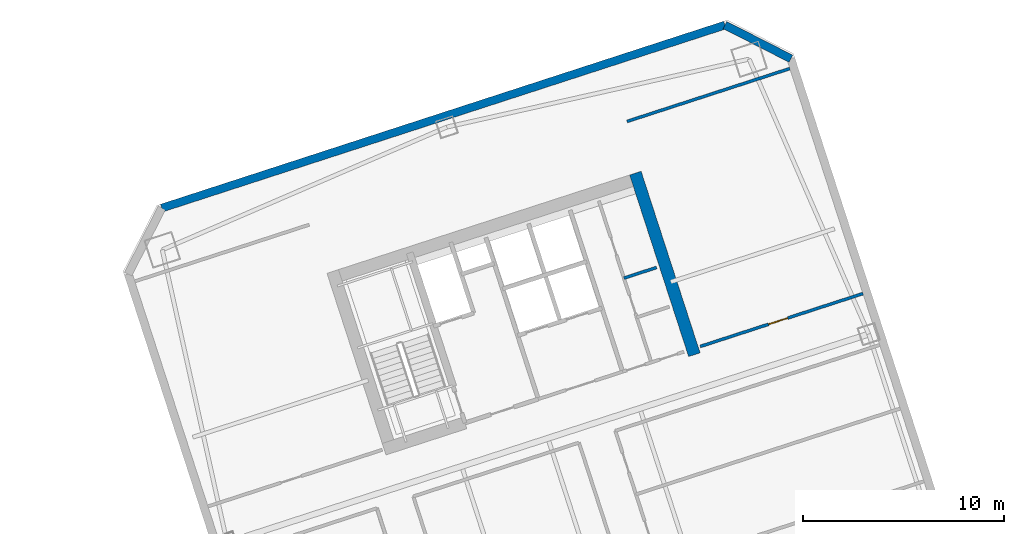
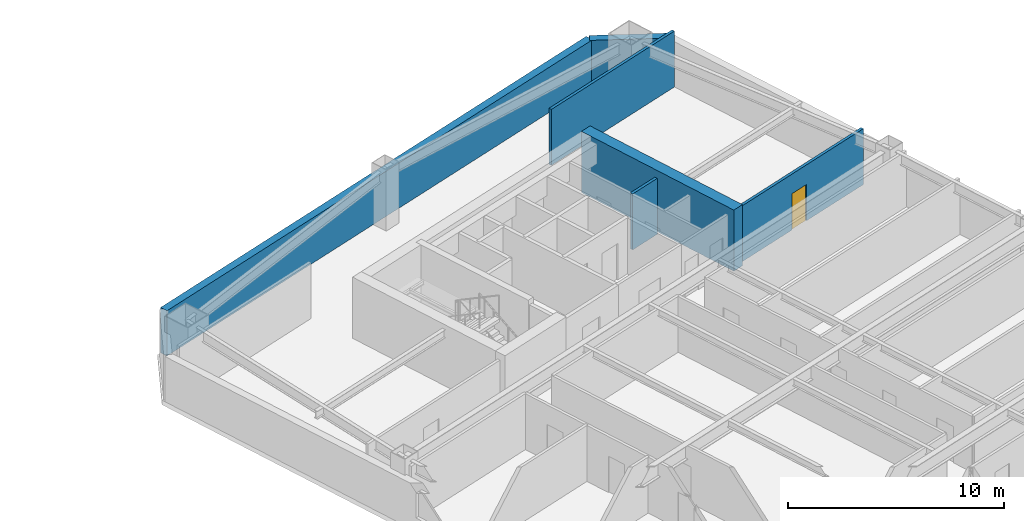
# One storey, part 8 of 11: 6 walls, 1 door, 1 opening.
"""IFC4 building model written with IfcOpenShell, lengths in metres."""

from ifc_helpers import new_model, si_unit, direction, frame, frame_2d, origin, place, context, subcontext, project, spatial, rectangle, extrude, material, layer, layer_set, type_object, element, fill, save


model = new_model("IFC4")

# Units and contexts
model_context = context("Model", 3, precision=1e-05, world=origin(), true_north=direction((0.0, 1.0)))
body_context = subcontext(model_context, "Body", "Model", "MODEL_VIEW")
ifc_project = project(units=[si_unit("LENGTHUNIT", "METRE"), si_unit("AREAUNIT", "SQUARE_METRE"), si_unit("VOLUMEUNIT", "CUBIC_METRE"), si_unit("PLANEANGLEUNIT", "RADIAN"), si_unit("MASSUNIT", "GRAM", prefix="KILO")], contexts=[model_context])

# Site, building, storey
site_placement = place(None, origin())
site = spatial("IfcSite", under=ifc_project, at=site_placement, CompositionType="ELEMENT")
building_placement = place(site_placement, origin())
building = spatial("IfcBuilding", under=site, at=building_placement, Name="Qiaolan Cultural Towers", CompositionType="ELEMENT")
storey_placement = place(building_placement, frame((0.0, 0.0, 96.60009765625)))
storey = spatial("IfcBuildingStorey", under=building, at=storey_placement, Name="L24", CompositionType="ELEMENT", Elevation=96.60009765625)

# Walls
ifc_material_1 = material(Name="Concrete C55", Category="concrete")
ifc_layer_1 = layer(ifc_material_1, 0.60009765625)
ifc_layer_set_1 = layer_set([ifc_layer_1], Name="Concrete C55")
wall_type_1 = type_object("IfcWallType", Name="WL-CORE-600", PredefinedType="SHEAR", material=ifc_layer_set_1)
wall_1_placement = place(storey_placement, frame((94.4921875, 46.710205078125, 0.0), z_axis=(0.0, 0.0, 1.0), x_axis=(-0.309010370028, 0.95105866865, 0.0)))
element("IfcWall", 1, at=wall_1_placement, inside=storey, type_object=wall_type_1, Name="L24 T2-CN East Core Shear Wall", PredefinedType="SHEAR", context=body_context, shape_type="SweptSolid", body=[
    extrude(rectangle(XDim=9.47998046875, YDim=0.60009765625, at=frame_2d((4.739990234375, 0.0))), origin(), (0.0, 0.0, 1.0), 3.449951171875),
])
ifc_material_2 = material(Name="Precast Concrete C50 Honed Stone Pier", Category="masonry")
ifc_layer_2 = layer(ifc_material_2, 0.39990234375)
ifc_layer_set_2 = layer_set([ifc_layer_2], Name="Precast Concrete C50 Honed Stone Pier")
wall_type_2 = type_object("IfcWallType", Name="WL-EXT-PIER-400", PredefinedType="SOLIDWALL", material=ifc_layer_set_2)
wall_2_placement = place(storey_placement, frame((68.046875, 53.99462890625, 0.0), z_axis=(0.0, 0.0, 1.0), x_axis=(0.95105505922, 0.309021478754, 0.0)))
element("IfcWall", 2, at=wall_2_placement, inside=storey, type_object=wall_type_2, Name="L24 East Tower Precast Pier Facade Wall F3", PredefinedType="SOLIDWALL", context=body_context, shape_type="SweptSolid", body=[
    extrude(rectangle(XDim=29.39990234375, YDim=0.39990234375, at=frame_2d((14.699951171875, 0.0))), origin(), (0.0, 0.0, 1.0), 2.5498046875),
])
wall_3_placement = place(storey_placement, frame((96.0078125, 63.079833984375, 0.0), z_axis=(0.0, 0.0, 1.0), x_axis=(0.891001999643, -0.45399937955, 0.0)))
element("IfcWall", 3, at=wall_3_placement, inside=storey, type_object=wall_type_2, Name="L24 East Tower Precast Pier Facade Wall F4", PredefinedType="SOLIDWALL", context=body_context, shape_type="SweptSolid", body=[
    extrude(rectangle(XDim=3.67724609375, YDim=0.39990234375, at=frame_2d((1.838623046875, 0.0))), origin(), (0.0, 0.0, 1.0), 2.5498046875),
])
ifc_material_3 = material(Name="Autoclaved Aerated Concrete Block B06", Category="concrete")
ifc_layer_3 = layer(ifc_material_3, 0.14990234375)
ifc_layer_set_3 = layer_set([ifc_layer_3], Name="Autoclaved Aerated Concrete Block B06")
wall_type_3 = type_object("IfcWallType", Name="WL-PART-150", PredefinedType="PARTITIONING", material=ifc_layer_set_3)
wall_4_placement = place(storey_placement, frame((90.9951171875, 50.515869140625, 0.0), z_axis=(0.0, 0.0, 1.0), x_axis=(0.951040401051, 0.309066587596, 0.0)))
element("IfcWall", 4, at=wall_4_placement, inside=storey, type_object=wall_type_3, Name="L24 T2-CN Restroom Split Wall", PredefinedType="PARTITIONING", context=body_context, shape_type="SweptSolid", body=[
    extrude(rectangle(XDim=1.699951171875, YDim=0.14990234375, at=frame_2d((0.85009765625, 0.0))), origin(), (0.0, 0.0, 1.0), 3.15478515625),
])
wall_5_placement = place(storey_placement, frame((91.14892578125, 58.294189453125, 0.0), z_axis=(0.0, 0.0, 1.0), x_axis=(0.951062770994, 0.308997743729, 0.0)))
element("IfcWall", 5, at=wall_5_placement, inside=storey, type_object=wall_type_3, Name="L24 T2 Flank Wall FLK-NE", PredefinedType="PARTITIONING", context=body_context, shape_type="SweptSolid", body=[
    extrude(rectangle(XDim=8.5, YDim=0.14990234375, at=frame_2d((4.25, 0.0))), origin(), (0.0, 0.0, 1.0), 3.15478515625),
])

# Wall, opening, door
wall_6_placement = place(storey_placement, frame((94.77978515625, 47.119140625, 0.0), z_axis=(0.0, 0.0, 1.0), x_axis=(0.951054329824, 0.309023723562, 0.0)))
wall_6 = element("IfcWall", 6, at=wall_6_placement, inside=storey, type_object=wall_type_3, Name="L24 T2 Flank Front FLK-NE", PredefinedType="PARTITIONING", context=body_context, shape_type="SweptSolid", body=[
    extrude(rectangle(XDim=8.5, YDim=0.14990234375, at=frame_2d((4.25, 0.0))), origin(), (0.0, 0.0, 1.0), 3.15478515625),
])
opening_placement = place(wall_6_placement, frame((3.570068359375, 0.0, 0.0)))
opening = element("IfcOpeningElement", 7, at=opening_placement, cuts=wall_6, Name="Opening ID-04", PredefinedType="OPENING", context=body_context, shape_type="SweptSolid", body=[
    extrude(rectangle(XDim=1.0, YDim=2.050048828125, at=frame_2d((0.5, 1.02490234375))), frame((0.0, 0.0849609375, 0.0), z_axis=(0.0, -1.0, 0.0), x_axis=(1.0, 0.0, 0.0)), (0.0, 0.0, 1.0), 0.169921875),
])
ifc_material_4 = material(Name="Oak Veneer Acoustic Office Door", Category="timber")
door_type = type_object("IfcDoorType", Name="DR-INT-1000", OperationType="NOTDEFINED", PredefinedType="DOOR", material=ifc_material_4)
door_placement = place(opening_placement, origin())
door = element("IfcDoor", 8, at=door_placement, inside=storey, type_object=door_type, Name="L24 T2 Corner Studio Door", OperationType="SINGLE_SWING_LEFT", OverallHeight=2.050048828125, OverallWidth=1.0, PredefinedType="DOOR", context=body_context, shape_type="SweptSolid", body=[
    extrude(rectangle(XDim=1.0, YDim=2.050048828125, at=frame_2d((0.5, 1.02490234375))), frame((0.0, 0.02490234375, 0.0), z_axis=(0.0, -1.0, 0.0), x_axis=(1.0, 0.0, 0.0)), (0.0, 0.0, 1.0), 0.050048828125),
])
fill(opening, door)

save(model, "model.ifc")
